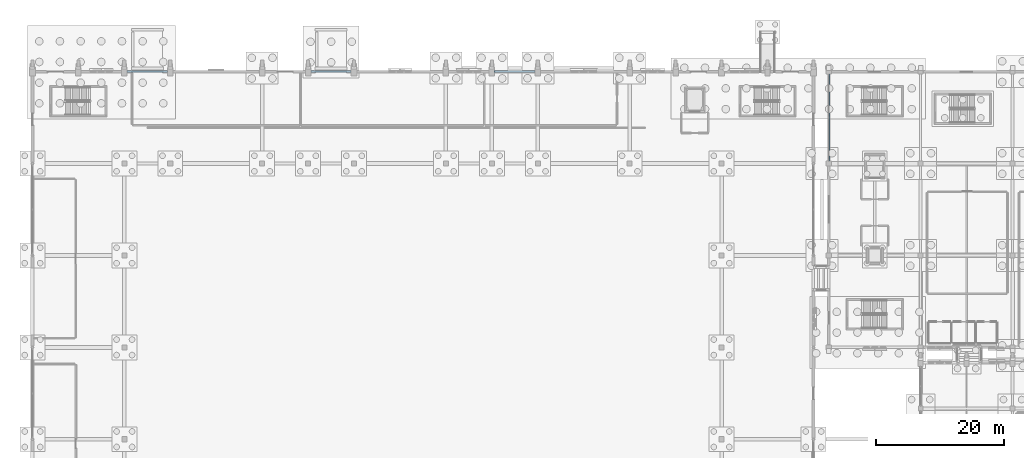
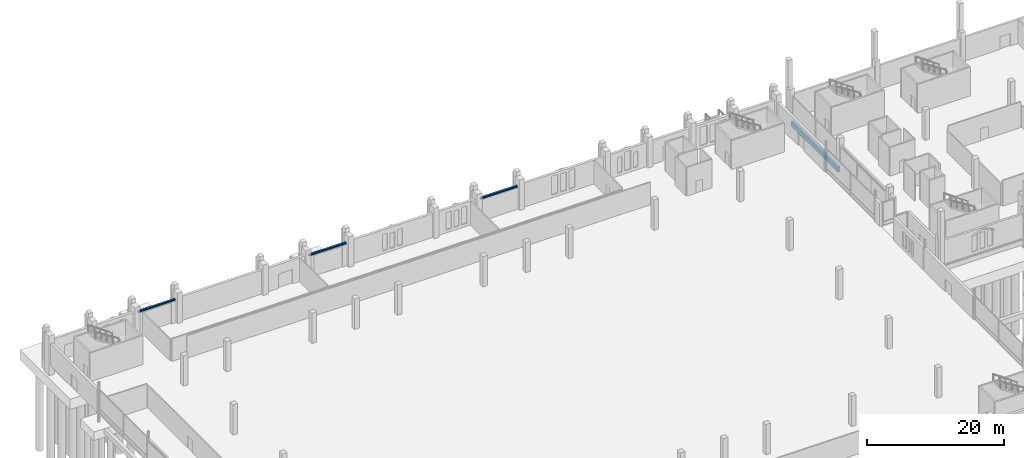
# One storey, part 119 of 192: 4 beams.
"""IFC4 building model written with IfcOpenShell, lengths in metres."""

from ifc_helpers import new_model, si_unit, direction, frame, origin, origin_2d, place, context, subcontext, project, spatial, rectangle, i_section, extrude, material, material_profile, profile_set, type_object, element, save


model = new_model("IFC4")

# Units and contexts
model_context = context("Model", 3, precision=1e-05, world=origin(), true_north=direction((0.0, 1.0)))
body_context = subcontext(model_context, "Body", "Model", "MODEL_VIEW")
ifc_project = project(units=[si_unit("LENGTHUNIT", "METRE"), si_unit("AREAUNIT", "SQUARE_METRE"), si_unit("VOLUMEUNIT", "CUBIC_METRE"), si_unit("PLANEANGLEUNIT", "RADIAN"), si_unit("MASSUNIT", "GRAM", prefix="KILO")], contexts=[model_context])

# Site, building, storey
site_placement = place(None, origin())
site = spatial("IfcSite", under=ifc_project, at=site_placement, CompositionType="ELEMENT")
building_placement = place(site_placement, origin())
building = spatial("IfcBuilding", under=site, at=building_placement, Name="Cendralis Lancet Convention Centre", CompositionType="ELEMENT")
storey_placement = place(building_placement, origin())
storey = spatial("IfcBuildingStorey", under=building, at=storey_placement, Name="L00", CompositionType="ELEMENT", Elevation=0.0)

# Beams
ifc_material_1 = material(Name="Steel S355", Category="steel")
ifc_material_profile_1 = material_profile(ifc_material_1, i_section(OverallWidth=0.300048828125, OverallDepth=0.300048828125, WebThickness=0.010986328125, FlangeThickness=0.01904296875, FilletRadius=0.027099609375, at=origin_2d()), Name="HEB 300")
ifc_profile_set_1 = profile_set([ifc_material_profile_1], Name="Steel S355")
beam_type_1 = type_object("IfcBeamType", Name="STR-LN-LN01", PredefinedType="LINTEL", material=ifc_profile_set_1)
for number, where, z_axis, x_axis, name in (
    (1, (14.85009765625, 136.800048828125, 4.0), (1.0, 0.0, 0.0), (0.0, 1.0, 0.0), "L00 Beam LN01 #1299"),
    (2, (43.625, 136.800048828125, 4.0), (1.0, 0.0, 0.0), (0.0, 1.0, 0.0), "L00 Beam LN01 #1300"),
):
    element("IfcBeam", number, at=place(storey_placement, frame(where, z_axis=z_axis, x_axis=x_axis)), inside=storey, type_object=beam_type_1, Name=name, PredefinedType="LINTEL", context=body_context, shape_type="SweptSolid", body=[
        extrude(i_section(OverallWidth=0.300048828125, OverallDepth=0.300048828125, WebThickness=0.010986328125, FlangeThickness=0.01904296875, FilletRadius=0.027099609375, at=origin_2d()), origin(), (0.0, 0.0, 1.0), 6.324951171875),
    ])
ifc_material_profile_2 = material_profile(ifc_material_1, i_section(OverallWidth=0.300048828125, OverallDepth=0.320068359375, WebThickness=0.011474609375, FlangeThickness=0.0205078125, FilletRadius=0.027099609375, at=origin_2d()), Name="HEB 320")
ifc_profile_set_2 = profile_set([ifc_material_profile_2], Name="Steel S355")
beam_type_2 = type_object("IfcBeamType", Name="STR-LN-LN02", PredefinedType="LINTEL", material=ifc_profile_set_2)
beam_1_placement = place(storey_placement, frame((72.449951171875, 136.800048828125, 3.989990234375), z_axis=(1.0, 0.0, 0.0), x_axis=(0.0, 1.0, 0.0)))
element("IfcBeam", 3, at=beam_1_placement, inside=storey, type_object=beam_type_2, Name="L00 Beam LN02 #1301", PredefinedType="LINTEL", context=body_context, shape_type="SweptSolid", body=[
    extrude(i_section(OverallWidth=0.300048828125, OverallDepth=0.320068359375, WebThickness=0.011474609375, FlangeThickness=0.0205078125, FilletRadius=0.027099609375, at=origin_2d()), origin(), (0.0, 0.0, 1.0), 6.324951171875),
])
ifc_material_2 = material(Name="Concrete G40 (C40/50)", Category="concrete")
ifc_material_profile_3 = material_profile(ifc_material_2, rectangle(XDim=0.39990234375, YDim=0.85009765625, at=origin_2d()), Name="RCB 400x850")
ifc_profile_set_3 = profile_set([ifc_material_profile_3], Name="Concrete G40 (C40/50)")
beam_type_3 = type_object("IfcBeamType", Name="STR-SP-SP02", PredefinedType="SPANDREL", material=ifc_profile_set_3)
beam_2_placement = place(storey_placement, frame((124.800048828125, 122.800048828125, -0.7451171875), z_axis=(0.0, 1.0, 0.0), x_axis=(-1.0, 0.0, 0.0)))
element("IfcBeam", 4, at=beam_2_placement, inside=storey, type_object=beam_type_3, Name="L00 Beam SP02 #1607", PredefinedType="SPANDREL", context=body_context, shape_type="SweptSolid", body=[
    extrude(rectangle(XDim=0.39990234375, YDim=0.85009765625, at=origin_2d()), origin(), (0.0, 0.0, 1.0), 13.599853515625),
])

save(model, "model.ifc")
